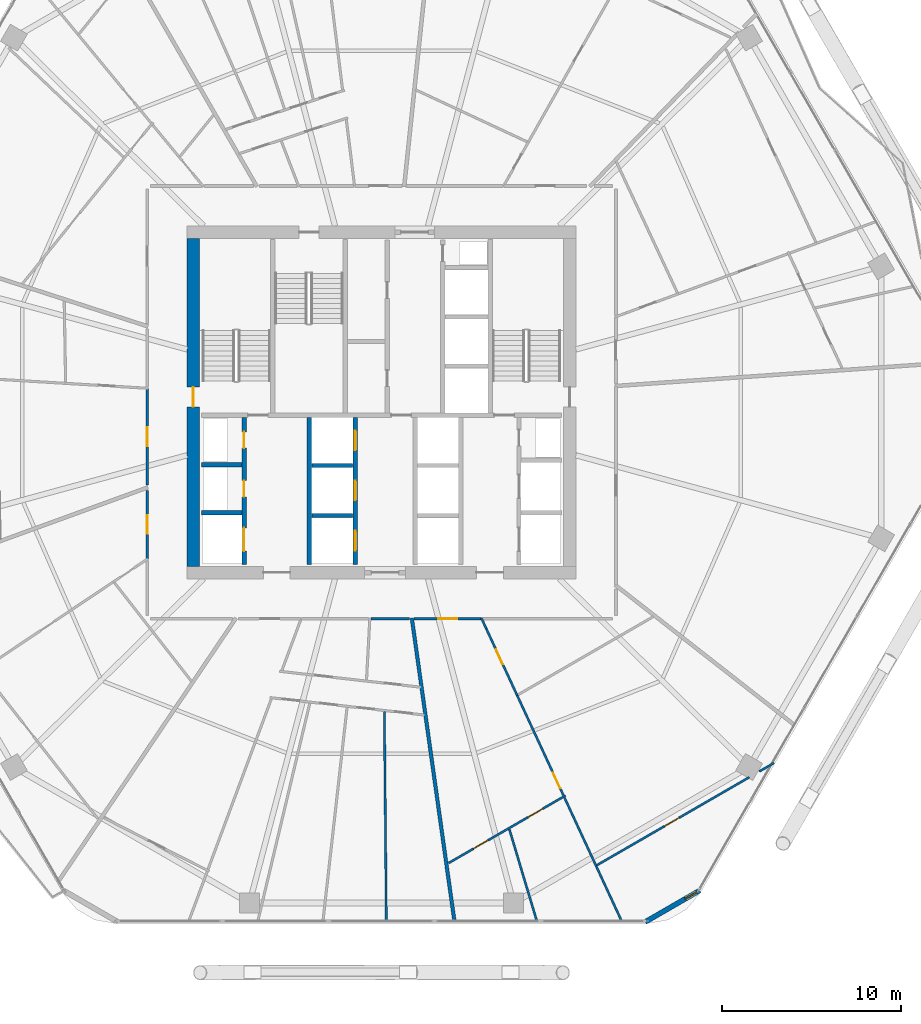
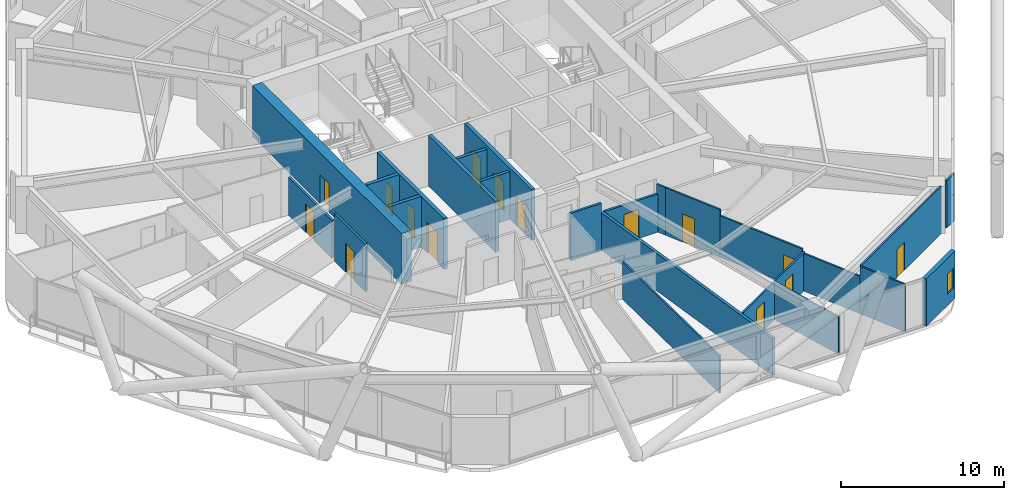
# One storey, part 27 of 34: 24 walls, 15 doors, 1 window, 16 openings.
"""IFC4 building model written with IfcOpenShell, lengths in metres."""

import ifcopenshell
import ifcopenshell.guid

model = None  # the IFC model being written
_history = None  # IfcOwnerHistory: only IFC2X3 demands one
_inside = {}  # id of a spatial element -> (the spatial element, [elements in it])
_under = {}  # id of a project, library or spatial element -> (it, [spatial elements below it])
_declared = {}  # id of a project -> (the project, [libraries it declares])
_typed = {}  # id of a type object -> (the type object, [elements of that type])
_made_of = {}  # id of a material, layer set ... -> (it, [elements and type objects made of it])


def new_model(schema):
    """Start an empty IFC model of exactly this schema.

    Asked for "IFC4X3", IfcOpenShell would pick the latest addendum, in which some entities
    have other attributes; the version numbers below select the first issue.
    IFC2X3 requires an IfcOwnerHistory on every rooted entity: one is made here for all.
    """
    global model, _history
    if schema == "IFC4X3":
        model = ifcopenshell.file(schema_version=(4, 3, 0, 0))
    else:
        model = ifcopenshell.file(schema=schema)
    _inside.clear()
    _under.clear()
    _declared.clear()
    _typed.clear()
    _made_of.clear()
    _history = None
    if model.schema == "IFC2X3":
        org = make("IfcOrganization", Name="unknown")
        user = make(
            "IfcPersonAndOrganization",
            ThePerson=make("IfcPerson", FamilyName="unknown"),
            TheOrganization=org,
        )
        app = make(
            "IfcApplication",
            ApplicationDeveloper=org,
            Version="unknown",
            ApplicationFullName="unknown",
            ApplicationIdentifier="unknown",
        )
        _history = make(
            "IfcOwnerHistory",
            OwningUser=user,
            OwningApplication=app,
            ChangeAction="ADDED",
            CreationDate=0,
        )
    return model


def make(cls, **values):
    """One entity of the class cls with the attributes given. An attribute that is None is left unset."""
    return model.create_entity(
        cls, **{name: value for name, value in values.items() if value is not None}
    )


def rooted(cls, **values):
    """An entity with a GlobalId (a new one), such as an element, a storey or a relation."""
    return make(cls, GlobalId=ifcopenshell.guid.new(), OwnerHistory=_history, **values)


def si_unit(unit_type, name, prefix=None):
    """IfcSIUnit, for example si_unit("LENGTHUNIT", "METRE", prefix="MILLI")."""
    return make("IfcSIUnit", UnitType=unit_type, Prefix=prefix, Name=name)


def assignment(units):
    """IfcUnitAssignment: the units of a project."""
    return None if units is None else make("IfcUnitAssignment", Units=units)


def point(xyz):
    """IfcCartesianPoint."""
    return None if xyz is None else make("IfcCartesianPoint", Coordinates=xyz)


def direction(xyz):
    """IfcDirection."""
    return None if xyz is None else make("IfcDirection", DirectionRatios=xyz)


def frame(location, z_axis=None, x_axis=None):
    """IfcAxis2Placement3D, a coordinate frame: its origin and axes. An axis left out is left unset."""
    return make(
        "IfcAxis2Placement3D",
        Location=point(location),
        Axis=direction(z_axis),
        RefDirection=direction(x_axis),
    )


def frame_2d(location, x_axis=None):
    """IfcAxis2Placement2D, a coordinate frame in the plane: its origin and x axis."""
    return make(
        "IfcAxis2Placement2D", Location=point(location), RefDirection=direction(x_axis)
    )


def origin():
    """The frame at (0, 0, 0) with its axes left unset."""
    return frame((0.0, 0.0, 0.0))


def place(relative_to, where):
    """IfcLocalPlacement: puts the frame where relative to a parent placement (None: the world)."""
    return make(
        "IfcLocalPlacement", PlacementRelTo=relative_to, RelativePlacement=where
    )


def context(
    kind, dimensions, precision=None, world=None, true_north=None, identifier=None
):
    """IfcGeometricRepresentationContext, for example the 3D "Model" context."""
    return make(
        "IfcGeometricRepresentationContext",
        ContextIdentifier=identifier,
        ContextType=kind,
        CoordinateSpaceDimension=dimensions,
        Precision=precision,
        WorldCoordinateSystem=world,
        TrueNorth=true_north,
    )


def subcontext(parent, identifier, kind, view, scale=None):
    """IfcGeometricRepresentationSubContext, for example "Body" below "Model"."""
    return make(
        "IfcGeometricRepresentationSubContext",
        ContextIdentifier=identifier,
        ContextType=kind,
        ParentContext=parent,
        TargetScale=scale,
        TargetView=view,
    )


def project(units=None, contexts=None):
    """IfcProject with its units and contexts."""
    return rooted(
        "IfcProject",
        Name="project",
        RepresentationContexts=contexts,
        UnitsInContext=assignment(units),
    )


def spatial(cls, under=None, at=None, **own):
    """A site, building, storey or space (cls), placed at a placement, below another one or the project."""
    s = rooted(cls, ObjectPlacement=at, **own)
    if under is not None:
        _under.setdefault(under.id(), (under, []))[1].append(s)
    return s


def profile(cls, at=None, kind="AREA", **sizes):
    """A parametric profile (cls). Its sizes go by their IFC names, for example OverallWidth=200.0."""
    return make(cls, ProfileType=kind, Position=at, **sizes)


def rectangle(**sizes):
    """IfcRectangleProfileDef."""
    return profile("IfcRectangleProfileDef", **sizes)


def extrude(swept, where, along, depth):
    """IfcExtrudedAreaSolid: the profile swept, set in the frame where, extruded along a direction by depth."""
    return make(
        "IfcExtrudedAreaSolid",
        SweptArea=swept,
        Position=where,
        ExtrudedDirection=direction(along),
        Depth=depth,
    )


def shape(context_of_items, identifier, shape_type, items):
    """IfcShapeRepresentation: the items that make up one representation, for example the "Body"."""
    return make(
        "IfcShapeRepresentation",
        ContextOfItems=context_of_items,
        RepresentationIdentifier=identifier,
        RepresentationType=shape_type,
        Items=items,
    )


def material(Name=None, Category=None):
    """IfcMaterial."""
    return make("IfcMaterial", Name=Name, Category=Category)


def layer(
    of_material, thickness, ventilated=None, Name=None, Category=None, Priority=None
):
    """IfcMaterialLayer: one layer of a wall or slab, of a material (None: an air gap)."""
    return make(
        "IfcMaterialLayer",
        Material=of_material,
        LayerThickness=thickness,
        IsVentilated=ventilated,
        Name=Name,
        Category=Category,
        Priority=Priority,
    )


def layer_set(layers, Name=None):
    """IfcMaterialLayerSet."""
    return make("IfcMaterialLayerSet", MaterialLayers=layers, LayerSetName=Name)


def made_of(thing, what):
    """Note that an element or type object is made of a material, layer set ...; save() writes the relation."""
    if what is not None:
        _made_of.setdefault(what.id(), (what, []))[1].append(thing)
    return thing


def type_object(cls, material=None, **own):
    """A type object (cls), such as IfcWallType, which elements share."""
    return made_of(rooted(cls, **own), material)


def element(
    cls,
    number,
    at=None,
    inside=None,
    cuts=None,
    type_object=None,
    material=None,
    context=None,
    identifier="Body",
    shape_type=None,
    held_by="IfcProductDefinitionShape",
    body=None,
    shapes=None,
    **own,
):
    """One element of the class cls, such as IfcWall. Its Tag is "e" and its number.

    at: its placement. inside: the storey or other place that contains it. cuts: it is an
    opening in that element (IfcRelVoidsElement). A single representation is given by context,
    identifier, shape_type and body (its items); several are given by shapes. held_by: the class
    of the entity that holds the representations. save() writes the other relations.
    """
    e = rooted(cls, Tag="e%d" % number, ObjectPlacement=at, **own)
    if body is not None:
        shapes = [shape(context, identifier, shape_type, body)]
    if shapes is not None:
        e.Representation = make(held_by, Representations=shapes)
    if inside is not None:
        _inside.setdefault(inside.id(), (inside, []))[1].append(e)
    if cuts is not None:
        rooted(
            "IfcRelVoidsElement", RelatingBuildingElement=cuts, RelatedOpeningElement=e
        )
    if type_object is not None:
        _typed.setdefault(type_object.id(), (type_object, []))[1].append(e)
    return made_of(e, material)


def fill(opening, filler):
    """IfcRelFillsElement: the door or window that sits in an opening."""
    return rooted(
        "IfcRelFillsElement",
        RelatingOpeningElement=opening,
        RelatedBuildingElement=filler,
    )


def aggregate(whole, parts):
    """IfcRelAggregates: a whole, such as a stair, and the parts it consists of."""
    return rooted("IfcRelAggregates", RelatingObject=whole, RelatedObjects=parts)


def save(model, path):
    """Write the relations noted so far, then the file.

    IfcRelAggregates (storeys below a building ...), IfcRelContainedInSpatialStructure (elements
    in a storey), IfcRelDefinesByType, IfcRelAssociatesMaterial and IfcRelDeclares: one each for
    every whole, place, type object, material and project.
    """
    for whole, parts in _under.values():
        aggregate(whole, parts)
    for where, things in _inside.values():
        rooted(
            "IfcRelContainedInSpatialStructure",
            RelatedElements=things,
            RelatingStructure=where,
        )
    for kind, things in _typed.values():
        rooted("IfcRelDefinesByType", RelatedObjects=things, RelatingType=kind)
    for what, things in _made_of.values():
        rooted("IfcRelAssociatesMaterial", RelatedObjects=things, RelatingMaterial=what)
    for by, libraries in _declared.values():
        rooted("IfcRelDeclares", RelatingContext=by, RelatedDefinitions=libraries)
    model.write(path)


model = new_model("IFC4")

# Units and contexts
model_context = context("Model", 3, precision=1e-05, world=origin(), true_north=direction((0.0, 1.0)))
body_context = subcontext(model_context, "Body", "Model", "MODEL_VIEW")
ifc_project = project(units=[si_unit("LENGTHUNIT", "METRE"), si_unit("AREAUNIT", "SQUARE_METRE"), si_unit("VOLUMEUNIT", "CUBIC_METRE"), si_unit("PLANEANGLEUNIT", "RADIAN"), si_unit("MASSUNIT", "GRAM", prefix="KILO")], contexts=[model_context])

# Site, building, storey
site_placement = place(None, origin())
site = spatial("IfcSite", under=ifc_project, at=site_placement, CompositionType="ELEMENT")
building_placement = place(site_placement, origin())
building = spatial("IfcBuilding", under=site, at=building_placement, Name="Zuhravey Tower", CompositionType="ELEMENT")
storey_placement = place(building_placement, frame((0.0, 0.0, 100.0)))
storey = spatial("IfcBuildingStorey", under=building, at=storey_placement, Name="L24", CompositionType="ELEMENT", Elevation=100.0)

# Wall, opening, door
ifc_material_1 = material(Name="Concrete C60/75", Category="concrete")
ifc_layer_1 = layer(ifc_material_1, 0.699951171875)
ifc_layer_set_1 = layer_set([ifc_layer_1], Name="Concrete C60/75")
wall_type_1 = type_object("IfcWallType", Name="Core Shear Wall 700", PredefinedType="SHEAR", material=ifc_layer_set_1)
wall_1_placement = place(storey_placement, frame((25.5, 22.85009765625, 0.0), z_axis=(0.0, 0.0, 1.0), x_axis=(0.0, 1.0, 0.0)))
wall_1 = element("IfcWall", 1, at=wall_1_placement, inside=storey, type_object=wall_type_1, Name="L24 West Core Shear Wall CW70", PredefinedType="SHEAR", context=body_context, shape_type="SweptSolid", body=[
    extrude(rectangle(XDim=18.2998046875, YDim=0.699951171875, at=frame_2d((9.14990234375, 0.0))), origin(), (0.0, 0.0, 1.0), 3.800048828125),
])
opening_1_placement = place(wall_1_placement, frame((8.89990234375, 0.0, 0.0)))
opening_1 = element("IfcOpeningElement", 2, at=opening_1_placement, cuts=wall_1, Name="Opening STD1", PredefinedType="OPENING", context=body_context, shape_type="SweptSolid", body=[
    extrude(rectangle(XDim=1.10009765625, YDim=2.14990234375, at=frame_2d((0.550048828125, 1.074951171875))), frame((0.0, 0.362060546875, 0.0), z_axis=(0.0, -1.0, 0.0), x_axis=(1.0, 0.0, 0.0)), (0.0, 0.0, 1.0), 0.723876953125),
])
ifc_material_2 = material(Name="Galvanised fire-rated steel leaf", Category="steel")
door_type_1 = type_object("IfcDoorType", Name="Protected Stair Fire Door 1100x2150", OperationType="NOTDEFINED", PredefinedType="USERDEFINED", material=ifc_material_2)
door_1_placement = place(opening_1_placement, frame((1.10009765625, 0.0, 0.0), z_axis=(0.0, 0.0, 1.0), x_axis=(-1.0, 0.0, 0.0)))
door_1 = element("IfcDoor", 3, at=door_1_placement, inside=storey, type_object=door_type_1, Name="L24 Stair ST1 Door", ObjectType="EXITDOOR", OperationType="SINGLE_SWING_RIGHT", OverallHeight=2.14990234375, OverallWidth=1.10009765625, PredefinedType="USERDEFINED", context=body_context, shape_type="SweptSolid", body=[
    extrude(rectangle(XDim=1.10009765625, YDim=2.14990234375, at=frame_2d((0.550048828125, 1.074951171875))), frame((0.0, 0.02490234375, 0.0), z_axis=(0.0, -1.0, 0.0), x_axis=(1.0, 0.0, 0.0)), (0.0, 0.0, 1.0), 0.050048828125),
])
fill(opening_1, door_1)

ifc_material_3 = material(Name="Gypsum fire-rated stud partition")
ifc_layer_2 = layer(ifc_material_3, 0.159912109375)
ifc_layer_set_2 = layer_set([ifc_layer_2], Name="Gypsum fire-rated stud partition")
wall_type_2 = type_object("IfcWallType", Name="Corridor Fire Partition 160", PredefinedType="PARTITIONING", material=ifc_layer_set_2)
wall_2_placement = place(storey_placement, frame((22.919921875, 32.76611328125, 0.0), z_axis=(0.0, 0.0, 1.0), x_axis=(0.0, -1.0, 0.0)))
wall_2 = element("IfcWall", 4, at=wall_2_placement, inside=storey, type_object=wall_type_2, Name="L24 IW16 Partition 046", PredefinedType="PARTITIONING", context=body_context, shape_type="SweptSolid", body=[
    extrude(rectangle(XDim=5.376708984375, YDim=0.159912109375, at=frame_2d((2.6884765625, 0.0))), origin(), (0.0, 0.0, 1.0), 2.85009765625),
])
opening_2_placement = place(wall_2_placement, frame((2.163330078125, 0.0, 0.0)))
opening_2 = element("IfcOpeningElement", 5, at=opening_2_placement, cuts=wall_2, Name="Opening APD1", PredefinedType="OPENING", context=body_context, shape_type="SweptSolid", body=[
    extrude(rectangle(XDim=1.050048828125, YDim=2.14990234375, at=frame_2d((0.52490234375, 1.074951171875))), frame((0.0, 0.092041015625, 0.0), z_axis=(0.0, -1.0, 0.0), x_axis=(1.0, 0.0, 0.0)), (0.0, 0.0, 1.0), 0.183837890625),
])
ifc_material_4 = material(Name="Solid-core oak fire-rated leaf")
door_type_2 = type_object("IfcDoorType", Name="Apartment Entrance Fire Door 1050x2150", OperationType="NOTDEFINED", PredefinedType="DOOR", material=ifc_material_4)
door_2_placement = place(opening_2_placement, frame((1.050048828125, 0.0, 0.0), z_axis=(0.0, 0.0, 1.0), x_axis=(-1.0, 0.0, 0.0)))
door_2 = element("IfcDoor", 6, at=door_2_placement, inside=storey, type_object=door_type_2, Name="L24 Door 046.1", OperationType="SINGLE_SWING_RIGHT", OverallHeight=2.14990234375, OverallWidth=1.050048828125, PredefinedType="DOOR", context=body_context, shape_type="SweptSolid", body=[
    extrude(rectangle(XDim=1.050048828125, YDim=2.14990234375, at=frame_2d((0.52490234375, 1.074951171875))), frame((0.0, 0.02490234375, 0.0), z_axis=(0.0, -1.0, 0.0), x_axis=(1.0, 0.0, 0.0)), (0.0, 0.0, 1.0), 0.050048828125),
])
fill(opening_2, door_2)

wall_3_placement = place(storey_placement, frame((22.919921875, 27.088134765625, 0.0), z_axis=(0.0, 0.0, 1.0), x_axis=(0.0, -1.0, 0.0)))
wall_3 = element("IfcWall", 7, at=wall_3_placement, inside=storey, type_object=wall_type_2, Name="L24 IW16 Partition 050", PredefinedType="PARTITIONING", context=body_context, shape_type="SweptSolid", body=[
    extrude(rectangle(XDim=3.8203125, YDim=0.159912109375, at=frame_2d((1.91015625, 0.0))), origin(), (0.0, 0.0, 1.0), 3.550048828125),
])
opening_3_placement = place(wall_3_placement, frame((1.38525390625, 0.0, 0.0)))
opening_3 = element("IfcOpeningElement", 8, at=opening_3_placement, cuts=wall_3, Name="Opening APD1", PredefinedType="OPENING", context=body_context, shape_type="SweptSolid", body=[
    extrude(rectangle(XDim=1.050048828125, YDim=2.14990234375, at=frame_2d((0.52490234375, 1.074951171875))), frame((0.0, 0.092041015625, 0.0), z_axis=(0.0, -1.0, 0.0), x_axis=(1.0, 0.0, 0.0)), (0.0, 0.0, 1.0), 0.183837890625),
])
door_3_placement = place(opening_3_placement, frame((1.050048828125, 0.0, 0.0), z_axis=(0.0, 0.0, 1.0), x_axis=(-1.0, 0.0, 0.0)))
door_3 = element("IfcDoor", 9, at=door_3_placement, inside=storey, type_object=door_type_2, Name="L24 Door 050.1", OperationType="SINGLE_SWING_RIGHT", OverallHeight=2.14990234375, OverallWidth=1.050048828125, PredefinedType="DOOR", context=body_context, shape_type="SweptSolid", body=[
    extrude(rectangle(XDim=1.050048828125, YDim=2.14990234375, at=frame_2d((0.52490234375, 1.074951171875))), frame((0.0, 0.02490234375, 0.0), z_axis=(0.0, -1.0, 0.0), x_axis=(1.0, 0.0, 0.0)), (0.0, 0.0, 1.0), 0.050048828125),
])
fill(opening_3, door_3)

wall_4_placement = place(storey_placement, frame((37.82568359375, 19.919921875, 0.0), z_axis=(0.0, 0.0, 1.0), x_axis=(1.0, 0.0, 0.0)))
wall_4 = element("IfcWall", 10, at=wall_4_placement, inside=storey, type_object=wall_type_2, Name="L24 IW16 Partition 060", PredefinedType="PARTITIONING", context=body_context, shape_type="SweptSolid", body=[
    extrude(rectangle(XDim=3.744140625, YDim=0.159912109375, at=frame_2d((1.8720703125, 0.0))), origin(), (0.0, 0.0, 1.0), 2.85009765625),
])
opening_4_placement = place(wall_4_placement, frame((1.34716796875, 0.0, 0.0)))
opening_4 = element("IfcOpeningElement", 11, at=opening_4_placement, cuts=wall_4, Name="Opening APD1", PredefinedType="OPENING", context=body_context, shape_type="SweptSolid", body=[
    extrude(rectangle(XDim=1.050048828125, YDim=2.14990234375, at=frame_2d((0.52490234375, 1.074951171875))), frame((0.0, 0.092041015625, 0.0), z_axis=(0.0, -1.0, 0.0), x_axis=(1.0, 0.0, 0.0)), (0.0, 0.0, 1.0), 0.183837890625),
])
door_4_placement = place(opening_4_placement, frame((1.050048828125, 0.0, 0.0), z_axis=(0.0, 0.0, 1.0), x_axis=(-1.0, 0.0, 0.0)))
door_4 = element("IfcDoor", 12, at=door_4_placement, inside=storey, type_object=door_type_2, Name="L24 Door 060.1", OperationType="SINGLE_SWING_RIGHT", OverallHeight=2.14990234375, OverallWidth=1.050048828125, PredefinedType="DOOR", context=body_context, shape_type="SweptSolid", body=[
    extrude(rectangle(XDim=1.050048828125, YDim=2.14990234375, at=frame_2d((0.52490234375, 1.074951171875))), frame((0.0, 0.02490234375, 0.0), z_axis=(0.0, -1.0, 0.0), x_axis=(1.0, 0.0, 0.0)), (0.0, 0.0, 1.0), 0.050048828125),
])
fill(opening_4, door_4)

# Wall
wall_5_placement = place(storey_placement, frame((35.4150390625, 19.919921875, 0.0), z_axis=(0.0, 0.0, 1.0), x_axis=(1.0, 0.0, 0.0)))
element("IfcWall", 13, at=wall_5_placement, inside=storey, type_object=wall_type_2, Name="L24 IW16 Partition 130", PredefinedType="PARTITIONING", context=body_context, shape_type="SweptSolid", body=[
    extrude(rectangle(XDim=2.1552734375, YDim=0.159912109375, at=frame_2d((1.07763671875, 0.0))), origin(), (0.0, 0.0, 1.0), 3.550048828125),
])

# Wall, opening, window
ifc_material_5 = material(Name="Precast concrete C40/50", Category="concrete")
ifc_layer_3 = layer(ifc_material_5, 0.280029296875)
ifc_layer_set_3 = layer_set([ifc_layer_3], Name="Precast concrete C40/50")
wall_type_3 = type_object("IfcWallType", Name="Crown Architectural Wall 280", PredefinedType="SOLIDWALL", material=ifc_layer_set_3)
wall_6_placement = place(storey_placement, frame((53.76123046875, 4.75146484375, 0.0), z_axis=(0.0, 0.0, 1.0), x_axis=(-0.866007452331, -0.500031091541, 0.0)))
wall_6 = element("IfcWall", 14, at=wall_6_placement, inside=storey, type_object=wall_type_3, Name="L24 Rounded Corner Closure Wall EW28-02", PredefinedType="SOLIDWALL", context=body_context, shape_type="SweptSolid", body=[
    extrude(rectangle(XDim=3.514892578125, YDim=0.280029296875, at=frame_2d((1.75732421875, 0.0))), origin(), (0.0, 0.0, 1.0), 3.550048828125),
])
opening_5_placement = place(wall_6_placement, frame((0.18212890625, 0.0, 0.85009765625)))
opening_5 = element("IfcOpeningElement", 15, at=opening_5_placement, cuts=wall_6, Name="Opening WN5", PredefinedType="OPENING", context=body_context, shape_type="SweptSolid", body=[
    extrude(rectangle(XDim=0.75, YDim=1.5, at=frame_2d((0.375, 0.75))), frame((0.0, 0.152099609375, 0.0), z_axis=(0.0, -1.0, 0.0), x_axis=(1.0, 0.0, 0.0)), (0.0, 0.0, 1.0), 0.303955078125),
])
ifc_material_6 = material(Name="Thermally broken aluminium and triple low-E glass", Category="aluminium")
window_type = type_object("IfcWindowType", Name="Residential Corner Casement Window 750x1500", PartitioningType="SINGLE_PANEL", PredefinedType="WINDOW", material=ifc_material_6)
window_placement = place(opening_5_placement, origin())
window = element("IfcWindow", 16, at=window_placement, inside=storey, type_object=window_type, Name="L24 Corner Casement Window WN5-02.1", OverallHeight=1.5, OverallWidth=0.75, PartitioningType="SINGLE_PANEL", PredefinedType="WINDOW", context=body_context, shape_type="SweptSolid", body=[
    extrude(rectangle(XDim=0.75, YDim=1.5, at=frame_2d((0.375, 0.75))), frame((0.0, 0.030029296875, 0.0), z_axis=(0.0, -1.0, 0.0), x_axis=(1.0, 0.0, 0.0)), (0.0, 0.0, 1.0), 0.06005859375),
])
fill(opening_5, window)

# Walls
ifc_material_7 = material(Name="Concrete C50/60", Category="concrete")
ifc_layer_4 = layer(ifc_material_7, 0.25)
ifc_layer_set_4 = layer_set([ifc_layer_4], Name="Concrete C50/60")
wall_type_4 = type_object("IfcWallType", Name="Firefighting Shaft & Stair Wall 250", PredefinedType="SOLIDWALL", material=ifc_layer_set_4)
for number, where, z_axis, x_axis, name in (
    (17, (25.949951171875, 25.824951171875, 0.0), (0.0, 0.0, 1.0), (1.0, 0.0, 0.0), "L24 FW25 Shaft Wall 009"),
    (18, (25.949951171875, 28.52490234375, 0.0), (0.0, 0.0, 1.0), (1.0, 0.0, 0.0), "L24 FW25 Shaft Wall 010"),
):
    element("IfcWall", number, at=place(storey_placement, frame(where, z_axis=z_axis, x_axis=x_axis)), inside=storey, type_object=wall_type_4, Name=name, PredefinedType="SOLIDWALL", context=body_context, shape_type="SweptSolid", body=[
        extrude(rectangle(XDim=2.25, YDim=0.25, at=frame_2d((1.125, 0.0))), origin(), (0.0, 0.0, 1.0), 3.800048828125),
    ])

# Wall, openings, doors
wall_7_placement = place(storey_placement, frame((28.324951171875, 22.949951171875, 0.0), z_axis=(0.0, 0.0, 1.0), x_axis=(0.0, 1.0, 0.0)))
wall_7 = element("IfcWall", 19, at=wall_7_placement, inside=storey, type_object=wall_type_4, Name="L24 FW25 Shaft Wall 011", PredefinedType="SOLIDWALL", context=body_context, shape_type="SweptSolid", body=[
    extrude(rectangle(XDim=8.199951171875, YDim=0.25, at=frame_2d((4.10009765625, 0.0))), origin(), (0.0, 0.0, 1.0), 3.800048828125),
])
opening_6_placement = place(wall_7_placement, frame((0.75, 0.0, 0.0)))
opening_6 = element("IfcOpeningElement", 20, at=opening_6_placement, cuts=wall_7, Name="Opening LD2", PredefinedType="OPENING", context=body_context, shape_type="SweptSolid", body=[
    extrude(rectangle(XDim=1.300048828125, YDim=2.300048828125, at=frame_2d((0.64990234375, 1.14990234375))), frame((0.0, 0.136962890625, 0.0), z_axis=(0.0, -1.0, 0.0), x_axis=(1.0, 0.0, 0.0)), (0.0, 0.0, 1.0), 0.27392578125),
])
opening_7_placement = place(wall_7_placement, frame((3.780029296875, 0.0, 0.0)))
opening_7 = element("IfcOpeningElement", 21, at=opening_7_placement, cuts=wall_7, Name="Opening RSD1", PredefinedType="OPENING", context=body_context, shape_type="SweptSolid", body=[
    extrude(rectangle(XDim=0.89990234375, YDim=2.10009765625, at=frame_2d((0.449951171875, 1.050048828125))), frame((0.0, 0.136962890625, 0.0), z_axis=(0.0, -1.0, 0.0), x_axis=(1.0, 0.0, 0.0)), (0.0, 0.0, 1.0), 0.27392578125),
])
opening_8_placement = place(wall_7_placement, frame((6.5, 0.0, 0.0)))
opening_8 = element("IfcOpeningElement", 22, at=opening_8_placement, cuts=wall_7, Name="Opening RSD1", PredefinedType="OPENING", context=body_context, shape_type="SweptSolid", body=[
    extrude(rectangle(XDim=0.89990234375, YDim=2.10009765625, at=frame_2d((0.449951171875, 1.050048828125))), frame((0.0, 0.136962890625, 0.0), z_axis=(0.0, -1.0, 0.0), x_axis=(1.0, 0.0, 0.0)), (0.0, 0.0, 1.0), 0.27392578125),
])
ifc_material_8 = material(Name="Brushed stainless steel", Category="steel")
door_type_3 = type_object("IfcDoorType", Name="Freight & Stretcher Lift Sliding Door 1300x2300", OperationType="DOUBLE_DOOR_SLIDING", PredefinedType="DOOR", material=ifc_material_8)
door_5_placement = place(opening_6_placement, frame((1.300048828125, 0.0, 0.0), z_axis=(0.0, 0.0, 1.0), x_axis=(-1.0, 0.0, 0.0)))
door_5 = element("IfcDoor", 23, at=door_5_placement, inside=storey, type_object=door_type_3, Name="L24 Lift FF1 Landing Door", OperationType="DOUBLE_DOOR_SLIDING", OverallHeight=2.300048828125, OverallWidth=1.300048828125, PredefinedType="DOOR", context=body_context, shape_type="SweptSolid", body=[
    extrude(rectangle(XDim=1.300048828125, YDim=2.300048828125, at=frame_2d((0.64990234375, 1.14990234375))), frame((0.0, 0.02490234375, 0.0), z_axis=(0.0, -1.0, 0.0), x_axis=(1.0, 0.0, 0.0)), (0.0, 0.0, 1.0), 0.050048828125),
])
fill(opening_6, door_5)
ifc_material_9 = material(Name="Galvanised fire-rated steel access leaf", Category="steel")
door_type_4 = type_object("IfcDoorType", Name="Riser & Shaft Access Fire Door 900x2100", OperationType="NOTDEFINED", PredefinedType="DOOR", material=ifc_material_9)
door_6_placement = place(opening_7_placement, frame((0.89990234375, 0.0, 0.0), z_axis=(0.0, 0.0, 1.0), x_axis=(-1.0, 0.0, 0.0)))
door_6 = element("IfcDoor", 24, at=door_6_placement, inside=storey, type_object=door_type_4, Name="L24 Electrical Riser Door", OperationType="SINGLE_SWING_LEFT", OverallHeight=2.10009765625, OverallWidth=0.89990234375, PredefinedType="DOOR", context=body_context, shape_type="SweptSolid", body=[
    extrude(rectangle(XDim=0.89990234375, YDim=2.10009765625, at=frame_2d((0.449951171875, 1.050048828125))), frame((0.0, 0.02490234375, 0.0), z_axis=(0.0, -1.0, 0.0), x_axis=(1.0, 0.0, 0.0)), (0.0, 0.0, 1.0), 0.050048828125),
])
fill(opening_7, door_6)
door_7_placement = place(opening_8_placement, frame((0.89990234375, 0.0, 0.0), z_axis=(0.0, 0.0, 1.0), x_axis=(-1.0, 0.0, 0.0)))
door_7 = element("IfcDoor", 25, at=door_7_placement, inside=storey, type_object=door_type_4, Name="L24 Smoke Shaft Access Door", OperationType="SINGLE_SWING_RIGHT", OverallHeight=2.10009765625, OverallWidth=0.89990234375, PredefinedType="DOOR", context=body_context, shape_type="SweptSolid", body=[
    extrude(rectangle(XDim=0.89990234375, YDim=2.10009765625, at=frame_2d((0.449951171875, 1.050048828125))), frame((0.0, 0.02490234375, 0.0), z_axis=(0.0, -1.0, 0.0), x_axis=(1.0, 0.0, 0.0)), (0.0, 0.0, 1.0), 0.050048828125),
])
fill(opening_8, door_7)

# Wall
wall_8_placement = place(storey_placement, frame((31.97509765625, 22.949951171875, 0.0), z_axis=(0.0, 0.0, 1.0), x_axis=(0.0, 1.0, 0.0)))
element("IfcWall", 26, at=wall_8_placement, inside=storey, type_object=wall_type_4, Name="L24 FW25 Shaft Wall 012", PredefinedType="SOLIDWALL", context=body_context, shape_type="SweptSolid", body=[
    extrude(rectangle(XDim=8.199951171875, YDim=0.25, at=frame_2d((4.10009765625, 0.0))), origin(), (0.0, 0.0, 1.0), 3.800048828125),
])

# Wall, openings, doors
wall_9_placement = place(storey_placement, frame((34.52490234375, 22.949951171875, 0.0), z_axis=(0.0, 0.0, 1.0), x_axis=(0.0, 1.0, 0.0)))
wall_9 = element("IfcWall", 27, at=wall_9_placement, inside=storey, type_object=wall_type_4, Name="L24 FW25 Shaft Wall 013", PredefinedType="SOLIDWALL", context=body_context, shape_type="SweptSolid", body=[
    extrude(rectangle(XDim=8.199951171875, YDim=0.25, at=frame_2d((4.10009765625, 0.0))), origin(), (0.0, 0.0, 1.0), 3.800048828125),
])
opening_9_placement = place(wall_9_placement, frame((0.77490234375, 0.0, 0.0)))
opening_9 = element("IfcOpeningElement", 28, at=opening_9_placement, cuts=wall_9, Name="Opening LD1", PredefinedType="OPENING", context=body_context, shape_type="SweptSolid", body=[
    extrude(rectangle(XDim=1.10009765625, YDim=2.199951171875, at=frame_2d((0.550048828125, 1.10009765625))), frame((0.0, 0.136962890625, 0.0), z_axis=(0.0, -1.0, 0.0), x_axis=(1.0, 0.0, 0.0)), (0.0, 0.0, 1.0), 0.27392578125),
])
opening_10_placement = place(wall_9_placement, frame((3.574951171875, 0.0, 0.0)))
opening_10 = element("IfcOpeningElement", 29, at=opening_10_placement, cuts=wall_9, Name="Opening LD1", PredefinedType="OPENING", context=body_context, shape_type="SweptSolid", body=[
    extrude(rectangle(XDim=1.10009765625, YDim=2.199951171875, at=frame_2d((0.550048828125, 1.10009765625))), frame((0.0, 0.136962890625, 0.0), z_axis=(0.0, -1.0, 0.0), x_axis=(1.0, 0.0, 0.0)), (0.0, 0.0, 1.0), 0.27392578125),
])
opening_11_placement = place(wall_9_placement, frame((6.375, 0.0, 0.0)))
opening_11 = element("IfcOpeningElement", 30, at=opening_11_placement, cuts=wall_9, Name="Opening LD1", PredefinedType="OPENING", context=body_context, shape_type="SweptSolid", body=[
    extrude(rectangle(XDim=1.10009765625, YDim=2.199951171875, at=frame_2d((0.550048828125, 1.10009765625))), frame((0.0, 0.136962890625, 0.0), z_axis=(0.0, -1.0, 0.0), x_axis=(1.0, 0.0, 0.0)), (0.0, 0.0, 1.0), 0.27392578125),
])
door_type_5 = type_object("IfcDoorType", Name="Lift Landing Sliding Door 1100x2200", OperationType="DOUBLE_DOOR_SLIDING", PredefinedType="DOOR", material=ifc_material_8)
door_8_placement = place(opening_9_placement, frame((1.10009765625, 0.0, 0.0), z_axis=(0.0, 0.0, 1.0), x_axis=(-1.0, 0.0, 0.0)))
door_8 = element("IfcDoor", 31, at=door_8_placement, inside=storey, type_object=door_type_5, Name="L24 Lift PL1 Landing Door", OperationType="DOUBLE_DOOR_SLIDING", OverallHeight=2.199951171875, OverallWidth=1.10009765625, PredefinedType="DOOR", context=body_context, shape_type="SweptSolid", body=[
    extrude(rectangle(XDim=1.10009765625, YDim=2.199951171875, at=frame_2d((0.550048828125, 1.10009765625))), frame((0.0, 0.02490234375, 0.0), z_axis=(0.0, -1.0, 0.0), x_axis=(1.0, 0.0, 0.0)), (0.0, 0.0, 1.0), 0.050048828125),
])
fill(opening_9, door_8)
door_9_placement = place(opening_10_placement, frame((1.10009765625, 0.0, 0.0), z_axis=(0.0, 0.0, 1.0), x_axis=(-1.0, 0.0, 0.0)))
door_9 = element("IfcDoor", 32, at=door_9_placement, inside=storey, type_object=door_type_5, Name="L24 Lift PL2 Landing Door", OperationType="DOUBLE_DOOR_SLIDING", OverallHeight=2.199951171875, OverallWidth=1.10009765625, PredefinedType="DOOR", context=body_context, shape_type="SweptSolid", body=[
    extrude(rectangle(XDim=1.10009765625, YDim=2.199951171875, at=frame_2d((0.550048828125, 1.10009765625))), frame((0.0, 0.02490234375, 0.0), z_axis=(0.0, -1.0, 0.0), x_axis=(1.0, 0.0, 0.0)), (0.0, 0.0, 1.0), 0.050048828125),
])
fill(opening_10, door_9)
door_10_placement = place(opening_11_placement, frame((1.10009765625, 0.0, 0.0), z_axis=(0.0, 0.0, 1.0), x_axis=(-1.0, 0.0, 0.0)))
door_10 = element("IfcDoor", 33, at=door_10_placement, inside=storey, type_object=door_type_5, Name="L24 Lift PL3 Landing Door", OperationType="DOUBLE_DOOR_SLIDING", OverallHeight=2.199951171875, OverallWidth=1.10009765625, PredefinedType="DOOR", context=body_context, shape_type="SweptSolid", body=[
    extrude(rectangle(XDim=1.10009765625, YDim=2.199951171875, at=frame_2d((0.550048828125, 1.10009765625))), frame((0.0, 0.02490234375, 0.0), z_axis=(0.0, -1.0, 0.0), x_axis=(1.0, 0.0, 0.0)), (0.0, 0.0, 1.0), 0.050048828125),
])
fill(opening_11, door_10)

# Walls
ifc_material_10 = material(Name="Gypsum double-stud party assembly")
ifc_layer_5 = layer(ifc_material_10, 0.199951171875)
ifc_layer_set_5 = layer_set([ifc_layer_5], Name="Gypsum double-stud party assembly")
wall_type_5 = type_object("IfcWallType", Name="Inter-Tenancy Party Wall 200", PredefinedType="PARTITIONING", material=ifc_layer_set_5)
wall_10_placement = place(storey_placement, frame((37.692138671875, 19.9599609375, 0.0), z_axis=(0.0, 0.0, 1.0), x_axis=(0.139170315648, -0.990268460188, 0.0)))
element("IfcWall", 34, at=wall_10_placement, inside=storey, type_object=wall_type_5, Name="L24 IW20 Partition 112", PredefinedType="PARTITIONING", context=body_context, shape_type="SweptSolid", body=[
    extrude(rectangle(XDim=17.084716796875, YDim=0.199951171875, at=frame_2d((8.54248046875, 0.0))), origin(), (0.0, 0.0, 1.0), 2.800048828125),
])
ifc_material_11 = material(Name="Gypsum acoustic stud assembly")
ifc_layer_6 = layer(ifc_material_11, 0.219970703125)
ifc_layer_set_6 = layer_set([ifc_layer_6], Name="Gypsum acoustic stud assembly")
wall_type_6 = type_object("IfcWallType", Name="School Acoustic Compartment Wall 220", PredefinedType="PARTITIONING", material=ifc_layer_set_6)
for number, where, z_axis, x_axis, name in (
    (35, (32.10791015625, 25.675048828125, 0.0), (0.0, 0.0, 1.0), (1.0, 0.0, 0.0), "L24 IW22 Partition 066"),
    (36, (32.10791015625, 28.47509765625, 0.0), (0.0, 0.0, 1.0), (1.0, 0.0, 0.0), "L24 IW22 Partition 067"),
):
    element("IfcWall", number, at=place(storey_placement, frame(where, z_axis=z_axis, x_axis=x_axis)), inside=storey, type_object=wall_type_6, Name=name, PredefinedType="PARTITIONING", context=body_context, shape_type="SweptSolid", body=[
        extrude(rectangle(XDim=2.2841796875, YDim=0.219970703125, at=frame_2d((1.14208984375, 0.0))), origin(), (0.0, 0.0, 1.0), 3.550048828125),
    ])

# Wall, openings, doors
ifc_material_12 = material(Name="Gypsum metal-stud partition")
ifc_layer_7 = layer(ifc_material_12, 0.1201171875)
ifc_layer_set_7 = layer_set([ifc_layer_7], Name="Gypsum metal-stud partition")
wall_type_7 = type_object("IfcWallType", Name="Unit Internal Partition 120", PredefinedType="PARTITIONING", material=ifc_layer_set_7)
wall_11_placement = place(storey_placement, frame((39.74267578125, 6.281005859375, 0.0), z_axis=(0.0, 0.0, 1.0), x_axis=(0.866016234862, 0.500015880704, 0.0)))
wall_11 = element("IfcWall", 37, at=wall_11_placement, inside=storey, type_object=wall_type_7, Name="L24 IW12 Partition 055", PredefinedType="PARTITIONING", context=body_context, shape_type="SweptSolid", body=[
    extrude(rectangle(XDim=7.538330078125, YDim=0.1201171875, at=frame_2d((3.76904296875, 0.0))), origin(), (0.0, 0.0, 1.0), 2.85009765625),
])
opening_12_placement = place(wall_11_placement, frame((1.593505859375, 0.0, 0.0)))
opening_12 = element("IfcOpeningElement", 38, at=opening_12_placement, cuts=wall_11, Name="Opening IND1", PredefinedType="OPENING", context=body_context, shape_type="SweptSolid", body=[
    extrude(rectangle(XDim=0.949951171875, YDim=2.10009765625, at=frame_2d((0.47509765625, 1.050048828125))), frame((0.0, 0.072021484375, 0.0), z_axis=(0.0, -1.0, 0.0), x_axis=(1.0, 0.0, 0.0)), (0.0, 0.0, 1.0), 0.14404296875),
])
opening_13_placement = place(wall_11_placement, frame((5.11962890625, 0.0, 0.0)))
opening_13 = element("IfcOpeningElement", 39, at=opening_13_placement, cuts=wall_11, Name="Opening IND1", PredefinedType="OPENING", context=body_context, shape_type="SweptSolid", body=[
    extrude(rectangle(XDim=0.949951171875, YDim=2.10009765625, at=frame_2d((0.47509765625, 1.050048828125))), frame((0.0, 0.072021484375, 0.0), z_axis=(0.0, -1.0, 0.0), x_axis=(1.0, 0.0, 0.0)), (0.0, 0.0, 1.0), 0.14404296875),
])
ifc_material_13 = material(Name="Painted engineered timber leaf", Category="wood")
door_type_6 = type_object("IfcDoorType", Name="Internal Room & Bedroom Door 950x2100", OperationType="NOTDEFINED", PredefinedType="DOOR", material=ifc_material_13)
door_11_placement = place(opening_12_placement, frame((0.949951171875, 0.0, 0.0), z_axis=(0.0, 0.0, 1.0), x_axis=(-1.0, 0.0, 0.0)))
door_11 = element("IfcDoor", 40, at=door_11_placement, inside=storey, type_object=door_type_6, Name="Apartment L24-08 Family Study Door", OperationType="SINGLE_SWING_LEFT", OverallHeight=2.10009765625, OverallWidth=0.949951171875, PredefinedType="DOOR", context=body_context, shape_type="SweptSolid", body=[
    extrude(rectangle(XDim=0.949951171875, YDim=2.10009765625, at=frame_2d((0.47509765625, 1.050048828125))), frame((0.0, 0.02490234375, 0.0), z_axis=(0.0, -1.0, 0.0), x_axis=(1.0, 0.0, 0.0)), (0.0, 0.0, 1.0), 0.050048828125),
])
fill(opening_12, door_11)
door_12_placement = place(opening_13_placement, frame((0.949951171875, 0.0, 0.0), z_axis=(0.0, 0.0, 1.0), x_axis=(-1.0, 0.0, 0.0)))
door_12 = element("IfcDoor", 41, at=door_12_placement, inside=storey, type_object=door_type_6, Name="Apartment L24-08 Dining Room Door", OperationType="SINGLE_SWING_RIGHT", OverallHeight=2.10009765625, OverallWidth=0.949951171875, PredefinedType="DOOR", context=body_context, shape_type="SweptSolid", body=[
    extrude(rectangle(XDim=0.949951171875, YDim=2.10009765625, at=frame_2d((0.47509765625, 1.050048828125))), frame((0.0, 0.02490234375, 0.0), z_axis=(0.0, -1.0, 0.0), x_axis=(1.0, 0.0, 0.0)), (0.0, 0.0, 1.0), 0.050048828125),
])
fill(opening_13, door_12)

# Wall, opening, door
wall_12_placement = place(storey_placement, frame((41.855712890625, 19.35009765625, 0.0), z_axis=(0.0, 0.0, 1.0), x_axis=(0.420102705712, -0.907476565347, 0.0)))
wall_12 = element("IfcWall", 42, at=wall_12_placement, inside=storey, type_object=wall_type_7, Name="L24 IW12 Partition 056", PredefinedType="PARTITIONING", context=body_context, shape_type="SweptSolid", body=[
    extrude(rectangle(XDim=4.104736328125, YDim=0.1201171875, at=frame_2d((2.05224609375, 0.0))), origin(), (0.0, 0.0, 1.0), 3.550048828125),
])
opening_14_placement = place(wall_12_placement, frame((1.27392578125, 0.0, 0.0)))
opening_14 = element("IfcOpeningElement", 43, at=opening_14_placement, cuts=wall_12, Name="Opening WCD1", PredefinedType="OPENING", context=body_context, shape_type="SweptSolid", body=[
    extrude(rectangle(XDim=0.89990234375, YDim=2.10009765625, at=frame_2d((0.449951171875, 1.050048828125))), frame((0.0, 0.072021484375, 0.0), z_axis=(0.0, -1.0, 0.0), x_axis=(1.0, 0.0, 0.0)), (0.0, 0.0, 1.0), 0.14404296875),
])
ifc_material_14 = material(Name="Moisture-resistant timber leaf", Category="wood")
door_type_7 = type_object("IfcDoorType", Name="Bathroom & WC Internal Door 900x2100", OperationType="NOTDEFINED", PredefinedType="DOOR", material=ifc_material_14)
door_13_placement = place(opening_14_placement, origin())
door_13 = element("IfcDoor", 44, at=door_13_placement, inside=storey, type_object=door_type_7, Name="Apartment L24-08 Bathroom Door", OperationType="SINGLE_SWING_LEFT", OverallHeight=2.10009765625, OverallWidth=0.89990234375, PredefinedType="DOOR", context=body_context, shape_type="SweptSolid", body=[
    extrude(rectangle(XDim=0.89990234375, YDim=2.10009765625, at=frame_2d((0.449951171875, 1.050048828125))), frame((0.0, 0.02490234375, 0.0), z_axis=(0.0, -1.0, 0.0), x_axis=(1.0, 0.0, 0.0)), (0.0, 0.0, 1.0), 0.050048828125),
])
fill(opening_14, door_13)

wall_13_placement = place(storey_placement, frame((43.580078125, 15.625244140625, 0.0), z_axis=(0.0, 0.0, 1.0), x_axis=(0.420105955841, -0.907475060741, 0.0)))
wall_13 = element("IfcWall", 45, at=wall_13_placement, inside=storey, type_object=wall_type_7, Name="L24 IW12 Partition 057", PredefinedType="PARTITIONING", context=body_context, shape_type="SweptSolid", body=[
    extrude(rectangle(XDim=6.13037109375, YDim=0.1201171875, at=frame_2d((3.065185546875, 0.0))), origin(), (0.0, 0.0, 1.0), 3.10009765625),
])
opening_15_placement = place(wall_13_placement, frame((4.741943359375, 0.0, 0.0)))
opening_15 = element("IfcOpeningElement", 46, at=opening_15_placement, cuts=wall_13, Name="Opening IND1", PredefinedType="OPENING", context=body_context, shape_type="SweptSolid", body=[
    extrude(rectangle(XDim=0.949951171875, YDim=2.10009765625, at=frame_2d((0.47509765625, 1.050048828125))), frame((0.0, 0.072021484375, 0.0), z_axis=(0.0, -1.0, 0.0), x_axis=(1.0, 0.0, 0.0)), (0.0, 0.0, 1.0), 0.14404296875),
])
door_14_placement = place(opening_15_placement, origin())
door_14 = element("IfcDoor", 47, at=door_14_placement, inside=storey, type_object=door_type_6, Name="Apartment L24-08 Home Office Door", OperationType="SINGLE_SWING_RIGHT", OverallHeight=2.10009765625, OverallWidth=0.949951171875, PredefinedType="DOOR", context=body_context, shape_type="SweptSolid", body=[
    extrude(rectangle(XDim=0.949951171875, YDim=2.10009765625, at=frame_2d((0.47509765625, 1.050048828125))), frame((0.0, 0.02490234375, 0.0), z_axis=(0.0, -1.0, 0.0), x_axis=(1.0, 0.0, 0.0)), (0.0, 0.0, 1.0), 0.050048828125),
])
fill(opening_15, door_14)

# Wall
wall_14_placement = place(storey_placement, frame((46.212890625, 9.93798828125, 0.0), z_axis=(0.0, 0.0, 1.0), x_axis=(0.420052931111, -0.907499606096, 0.0)))
element("IfcWall", 48, at=wall_14_placement, inside=storey, type_object=wall_type_7, Name="L24 IW12 Partition 058", PredefinedType="PARTITIONING", context=body_context, shape_type="SweptSolid", body=[
    extrude(rectangle(XDim=4.216796875, YDim=0.1201171875, at=frame_2d((2.1083984375, 0.0))), origin(), (0.0, 0.0, 1.0), 2.800048828125),
])

# Wall, opening, door
wall_15_placement = place(storey_placement, frame((48.03271484375, 6.168212890625, 0.0), z_axis=(0.0, 0.0, 1.0), x_axis=(0.866038464595, 0.49997737733, 0.0)))
wall_15 = element("IfcWall", 49, at=wall_15_placement, inside=storey, type_object=wall_type_7, Name="L24 IW12 Partition 059", PredefinedType="PARTITIONING", context=body_context, shape_type="SweptSolid", body=[
    extrude(rectangle(XDim=9.81005859375, YDim=0.1201171875, at=frame_2d((4.905029296875, 0.0))), origin(), (0.0, 0.0, 1.0), 3.550048828125),
])
opening_16_placement = place(wall_15_placement, frame((4.345703125, 0.0, 0.0)))
opening_16 = element("IfcOpeningElement", 50, at=opening_16_placement, cuts=wall_15, Name="Opening IND1", PredefinedType="OPENING", context=body_context, shape_type="SweptSolid", body=[
    extrude(rectangle(XDim=0.949951171875, YDim=2.10009765625, at=frame_2d((0.47509765625, 1.050048828125))), frame((0.0, 0.072021484375, 0.0), z_axis=(0.0, -1.0, 0.0), x_axis=(1.0, 0.0, 0.0)), (0.0, 0.0, 1.0), 0.14404296875),
])
door_15_placement = place(opening_16_placement, frame((0.949951171875, 0.0, 0.0), z_axis=(0.0, 0.0, 1.0), x_axis=(-1.0, 0.0, 0.0)))
door_15 = element("IfcDoor", 51, at=door_15_placement, inside=storey, type_object=door_type_6, Name="Apartment L24-08 Bedroom 1 Door", OperationType="SINGLE_SWING_LEFT", OverallHeight=2.10009765625, OverallWidth=0.949951171875, PredefinedType="DOOR", context=body_context, shape_type="SweptSolid", body=[
    extrude(rectangle(XDim=0.949951171875, YDim=2.10009765625, at=frame_2d((0.47509765625, 1.050048828125))), frame((0.0, 0.02490234375, 0.0), z_axis=(0.0, -1.0, 0.0), x_axis=(1.0, 0.0, 0.0)), (0.0, 0.0, 1.0), 0.050048828125),
])
fill(opening_16, door_15)

# Walls
wall_16_placement = place(storey_placement, frame((36.15966796875, 14.729248046875, 0.0), z_axis=(0.0, 0.0, 1.0), x_axis=(0.009266204827, -0.999957067802, 0.0)))
element("IfcWall", 52, at=wall_16_placement, inside=storey, type_object=wall_type_7, Name="L24 IW12 Partition 108", PredefinedType="PARTITIONING", context=body_context, shape_type="SweptSolid", body=[
    extrude(rectangle(XDim=11.6982421875, YDim=0.1201171875, at=frame_2d((5.84912109375, 0.0))), origin(), (0.0, 0.0, 1.0), 2.800048828125),
])
wall_17_placement = place(storey_placement, frame((43.137939453125, 8.162841796875, 0.0), z_axis=(0.0, 0.0, 1.0), x_axis=(0.286848011089, -0.957976105409, 0.0)))
element("IfcWall", 53, at=wall_17_placement, inside=storey, type_object=wall_type_7, Name="L24 IW12 Partition 113", PredefinedType="PARTITIONING", context=body_context, shape_type="SweptSolid", body=[
    extrude(rectangle(XDim=5.37744140625, YDim=0.1201171875, at=frame_2d((2.688720703125, 0.0))), origin(), (0.0, 0.0, 1.0), 2.800048828125),
])
wall_18_placement = place(storey_placement, frame((41.572265625, 19.962646484375, 0.0), z_axis=(0.0, 0.0, 1.0), x_axis=(0.419952560089, -0.907546057936, 0.0)))
element("IfcWall", 54, at=wall_18_placement, inside=storey, type_object=wall_type_7, Name="L24 IW12 Partition 114", PredefinedType="PARTITIONING", context=body_context, shape_type="SweptSolid", body=[
    extrude(rectangle(XDim=0.675048828125, YDim=0.1201171875, at=frame_2d((0.33740234375, 0.0))), origin(), (0.0, 0.0, 1.0), 3.550048828125),
])
wall_19_placement = place(storey_placement, frame((47.984375, 6.111328125, 0.0), z_axis=(0.0, 0.0, 1.0), x_axis=(0.420090602043, -0.907482168461, 0.0)))
element("IfcWall", 55, at=wall_19_placement, inside=storey, type_object=wall_type_7, Name="L24 IW12 Partition 115", PredefinedType="PARTITIONING", context=body_context, shape_type="SweptSolid", body=[
    extrude(rectangle(XDim=3.38818359375, YDim=0.1201171875, at=frame_2d((1.694091796875, 0.0))), origin(), (0.0, 0.0, 1.0), 3.550048828125),
])
wall_20_placement = place(storey_placement, frame((57.089111328125, 11.396728515625, 0.0), z_axis=(0.0, 0.0, 1.0), x_axis=(0.866043818878, 0.499968102766, 0.0)))
element("IfcWall", 56, at=wall_20_placement, inside=storey, type_object=wall_type_7, Name="L24 IW12 Partition 117", PredefinedType="PARTITIONING", context=body_context, shape_type="SweptSolid", body=[
    extrude(rectangle(XDim=0.9462890625, YDim=0.1201171875, at=frame_2d((0.47314453125, 0.0))), origin(), (0.0, 0.0, 1.0), 3.550048828125),
])

save(model, "model.ifc")
